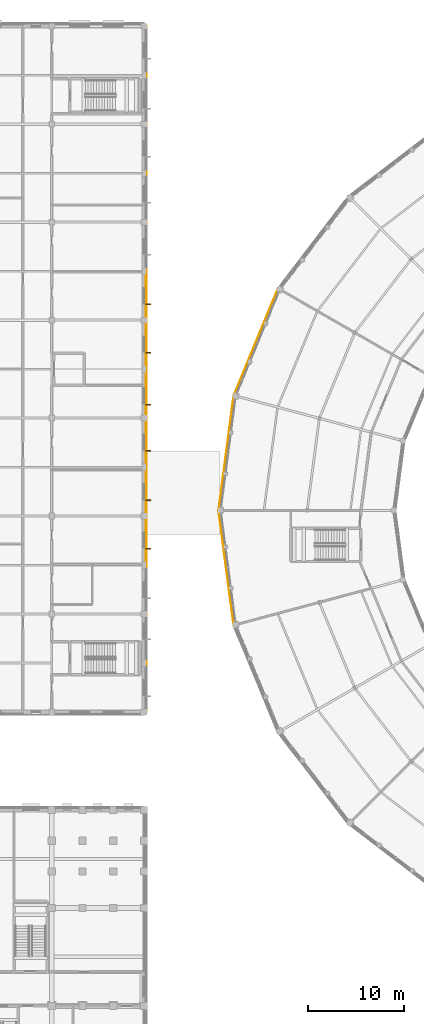
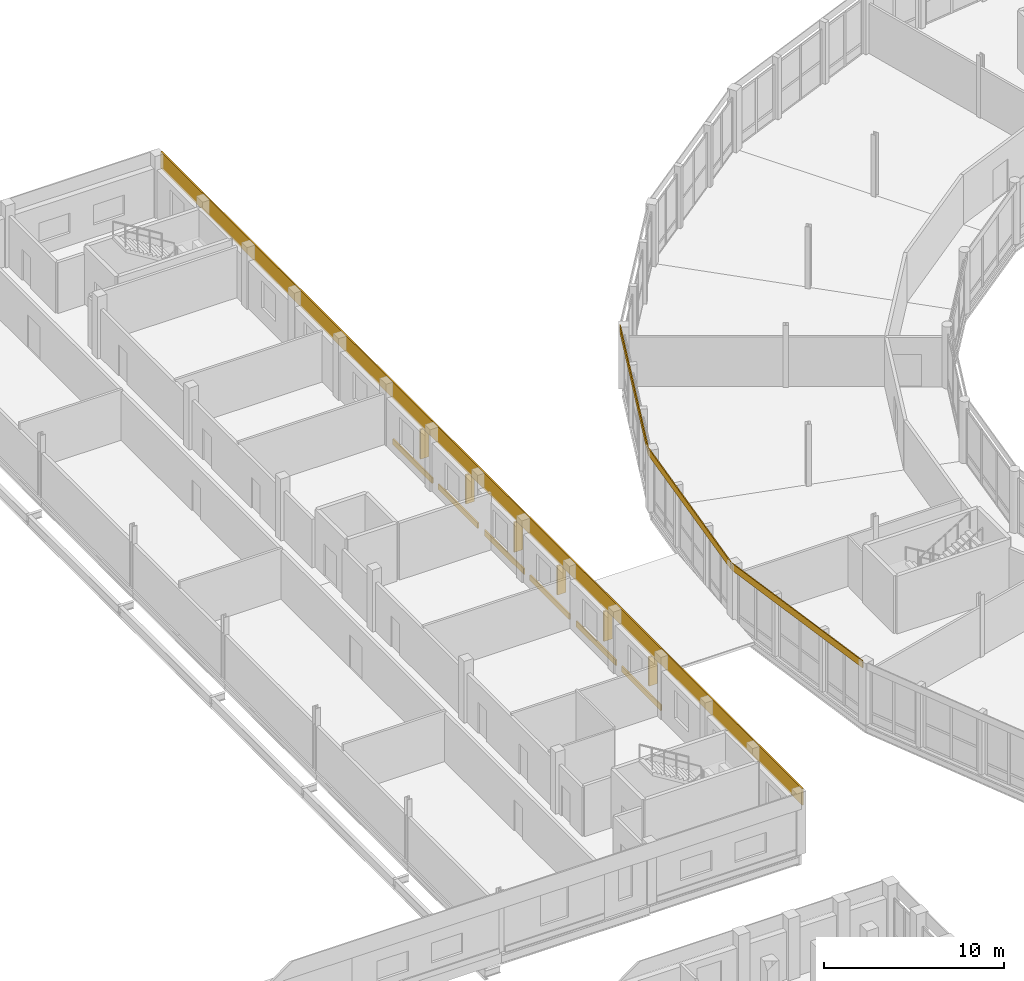
# One storey, part 159 of 170: 10 coverings, 6 shading devices.
"""IFC4 building model written with IfcOpenShell, lengths in metres."""

from ifc_helpers import new_model, si_unit, direction, frame, origin, origin_2d, place, context, subcontext, project, spatial, rectangle, extrude, material, layer, layer_set, type_object, element, save


model = new_model("IFC4")

# Units and contexts
model_context = context("Model", 3, precision=1e-05, world=origin(), true_north=direction((0.0, 1.0)))
body_context = subcontext(model_context, "Body", "Model", "MODEL_VIEW")
ifc_project = project(units=[si_unit("LENGTHUNIT", "METRE"), si_unit("AREAUNIT", "SQUARE_METRE"), si_unit("VOLUMEUNIT", "CUBIC_METRE"), si_unit("PLANEANGLEUNIT", "RADIAN"), si_unit("MASSUNIT", "GRAM", prefix="KILO")], contexts=[model_context])

# Site, building, storey
site_placement = place(None, origin())
site = spatial("IfcSite", under=ifc_project, at=site_placement, CompositionType="ELEMENT")
building_placement = place(site_placement, origin())
building = spatial("IfcBuilding", under=site, at=building_placement, Name="Vondelvale Polytechnic", CompositionType="ELEMENT")
storey_placement = place(building_placement, frame((0.0, 0.0, 5.39990234375)))
storey = spatial("IfcBuildingStorey", under=building, at=storey_placement, Name="L01", CompositionType="ELEMENT", Elevation=5.39990234375)

# Coverings
ifc_material_1 = material(Name="Amsterdam School iron-spot clinker clay brickwork", Category="masonry")
ifc_layer_1 = layer(ifc_material_1, 0.090087890625)
ifc_layer_set_1 = layer_set([ifc_layer_1], Name="COV-BRICK-RELIEF")
covering_type_1 = type_object("IfcCoveringType", Name="COV-BRICK-RELIEF", PredefinedType="CLADDING", material=ifc_layer_set_1)
covering_placement = place(storey_placement, frame((48.264892578125, 86.699951171875, 3.080078125), z_axis=(0.0, 0.0, 1.0), x_axis=(0.0, 1.0, 0.0)))
element("IfcCovering", 1, at=covering_placement, inside=storey, type_object=covering_type_1, Name="L01 exterior masonry spandrel band", PredefinedType="CLADDING", context=body_context, shape_type="SweptSolid", body=[
    extrude(rectangle(XDim=71.39990234375, YDim=0.090087890625, at=origin_2d()), origin(), (0.0, 0.0, 1.0), 1.1201171875),
])
for number, where, z_axis, x_axis, name in (
    (2, (48.23095703125, 68.875, 0.000244140625), (0.0, 0.0, 1.0), (0.0, -1.0, 0.0), "L01 exterior corbelled masonry relief band"),
    (3, (48.23095703125, 73.925048828125, 0.000244140625), (0.0, 0.0, 1.0), (0.0, -1.0, 0.0), "L01 exterior corbelled masonry relief band"),
    (4, (48.23095703125, 79.074951171875, 0.000244140625), (0.0, 0.0, 1.0), (0.0, -1.0, 0.0), "L01 exterior corbelled masonry relief band"),
    (5, (48.23095703125, 84.125, 0.000244140625), (0.0, 0.0, 1.0), (0.0, -1.0, 0.0), "L01 exterior corbelled masonry relief band"),
    (6, (48.23095703125, 89.27490234375, 0.000244140625), (0.0, 0.0, 1.0), (0.0, -1.0, 0.0), "L01 exterior corbelled masonry relief band"),
    (7, (48.23095703125, 94.324951171875, 0.000244140625), (0.0, 0.0, 1.0), (0.0, -1.0, 0.0), "L01 exterior corbelled masonry relief band"),
):
    element("IfcCovering", number, at=place(storey_placement, frame(where, z_axis=z_axis, x_axis=x_axis)), inside=storey, type_object=covering_type_1, Name=name, PredefinedType="CLADDING", context=body_context, shape_type="SweptSolid", body=[
        extrude(rectangle(XDim=4.387939453125, YDim=0.090087890625, at=origin_2d()), origin(), (0.0, 0.0, 1.0), 0.3798828125),
    ])
ifc_material_2 = material(Name="Engineered Tasmanian oak studio and bridge joinery")
ifc_layer_2 = layer(ifc_material_2, 0.06494140625)
ifc_layer_set_2 = layer_set([ifc_layer_2], Name="COV-OAK-SPANDREL")
covering_type_2 = type_object("IfcCoveringType", Name="COV-OAK-SPANDREL", PredefinedType="CLADDING", material=ifc_layer_set_2)
for number, where, z_axis, x_axis, name in (
    (8, (59.67041015625, 89.533447265625, 3.72021484375), (0.0, 0.0, 1.0), (-0.382683432365, -0.923879532511, 0.0), "L01 exterior masonry spandrel band"),
    (9, (56.57470703125, 77.980224609375, 3.72021484375), (0.0, 0.0, 1.0), (-0.13052619222, -0.991444861374, 0.0), "L01 exterior masonry spandrel band"),
    (10, (56.57470703125, 66.019775390625, 3.72021484375), (0.0, 0.0, 1.0), (0.13052619222, -0.991444861374, 0.0), "L01 exterior masonry spandrel band"),
):
    element("IfcCovering", number, at=place(storey_placement, frame(where, z_axis=z_axis, x_axis=x_axis)), inside=storey, type_object=covering_type_2, Name=name, PredefinedType="CLADDING", context=body_context, shape_type="SweptSolid", body=[
        extrude(rectangle(XDim=12.00830078125, YDim=0.06494140625, at=origin_2d()), origin(), (0.0, 0.0, 1.0), 0.47998046875),
    ])

# Shading devices
ifc_material_3 = material(Name="Kiln-fired architectural terracotta", Category="masonry")
shading_device_type = type_object("IfcShadingDeviceType", Name="SHD-TERRA-FIN-550", PredefinedType="JALOUSIE", material=ifc_material_3)
shading_device_1_placement = place(storey_placement, frame((48.449951171875, 68.010009765625, 0.89013671875), z_axis=(0.0, 0.0, 1.0), x_axis=(0.0, -1.0, 0.0)))
element("IfcShadingDevice", 11, at=shading_device_1_placement, inside=storey, type_object=shading_device_type, Name="L01 vertical terracotta solar fin", PredefinedType="JALOUSIE", context=body_context, shape_type="SweptSolid", body=[
    extrude(rectangle(XDim=0.110107421875, YDim=0.550048828125, at=origin_2d()), origin(), (0.0, 0.0, 1.0), 1.969970703125),
])
shading_device_2_placement = place(storey_placement, frame((48.449951171875, 73.034912109375, 0.89013671875), z_axis=(0.0, 0.0, 1.0), x_axis=(0.0, -1.0, 0.0)))
element("IfcShadingDevice", 12, at=shading_device_2_placement, inside=storey, type_object=shading_device_type, Name="L01 vertical terracotta solar fin", PredefinedType="JALOUSIE", context=body_context, shape_type="SweptSolid", body=[
    extrude(rectangle(XDim=0.110107421875, YDim=0.550048828125, at=origin_2d()), origin(), (0.0, 0.0, 1.0), 2.02001953125),
])
shading_device_3_placement = place(storey_placement, frame((48.449951171875, 78.2099609375, 0.89013671875), z_axis=(0.0, 0.0, 1.0), x_axis=(0.0, -1.0, 0.0)))
element("IfcShadingDevice", 13, at=shading_device_3_placement, inside=storey, type_object=shading_device_type, Name="L01 vertical terracotta solar fin", PredefinedType="JALOUSIE", context=body_context, shape_type="SweptSolid", body=[
    extrude(rectangle(XDim=0.110107421875, YDim=0.550048828125, at=origin_2d()), origin(), (0.0, 0.0, 1.0), 1.969970703125),
])
shading_device_4_placement = place(storey_placement, frame((48.449951171875, 83.014892578125, 0.89013671875), z_axis=(0.0, 0.0, 1.0), x_axis=(0.0, -1.0, 0.0)))
element("IfcShadingDevice", 14, at=shading_device_4_placement, inside=storey, type_object=shading_device_type, Name="L01 vertical terracotta solar fin", PredefinedType="JALOUSIE", context=body_context, shape_type="SweptSolid", body=[
    extrude(rectangle(XDim=0.110107421875, YDim=0.550048828125, at=origin_2d()), origin(), (0.0, 0.0, 1.0), 2.02001953125),
])
shading_device_5_placement = place(storey_placement, frame((48.449951171875, 88.409912109375, 0.89013671875), z_axis=(0.0, 0.0, 1.0), x_axis=(0.0, -1.0, 0.0)))
element("IfcShadingDevice", 15, at=shading_device_5_placement, inside=storey, type_object=shading_device_type, Name="L01 vertical terracotta solar fin", PredefinedType="JALOUSIE", context=body_context, shape_type="SweptSolid", body=[
    extrude(rectangle(XDim=0.110107421875, YDim=0.550048828125, at=origin_2d()), origin(), (0.0, 0.0, 1.0), 1.969970703125),
])
shading_device_6_placement = place(storey_placement, frame((48.449951171875, 93.43505859375, 0.89013671875), z_axis=(0.0, 0.0, 1.0), x_axis=(0.0, -1.0, 0.0)))
element("IfcShadingDevice", 16, at=shading_device_6_placement, inside=storey, type_object=shading_device_type, Name="L01 vertical terracotta solar fin", PredefinedType="JALOUSIE", context=body_context, shape_type="SweptSolid", body=[
    extrude(rectangle(XDim=0.110107421875, YDim=0.550048828125, at=origin_2d()), origin(), (0.0, 0.0, 1.0), 2.02001953125),
])

save(model, "model.ifc")
